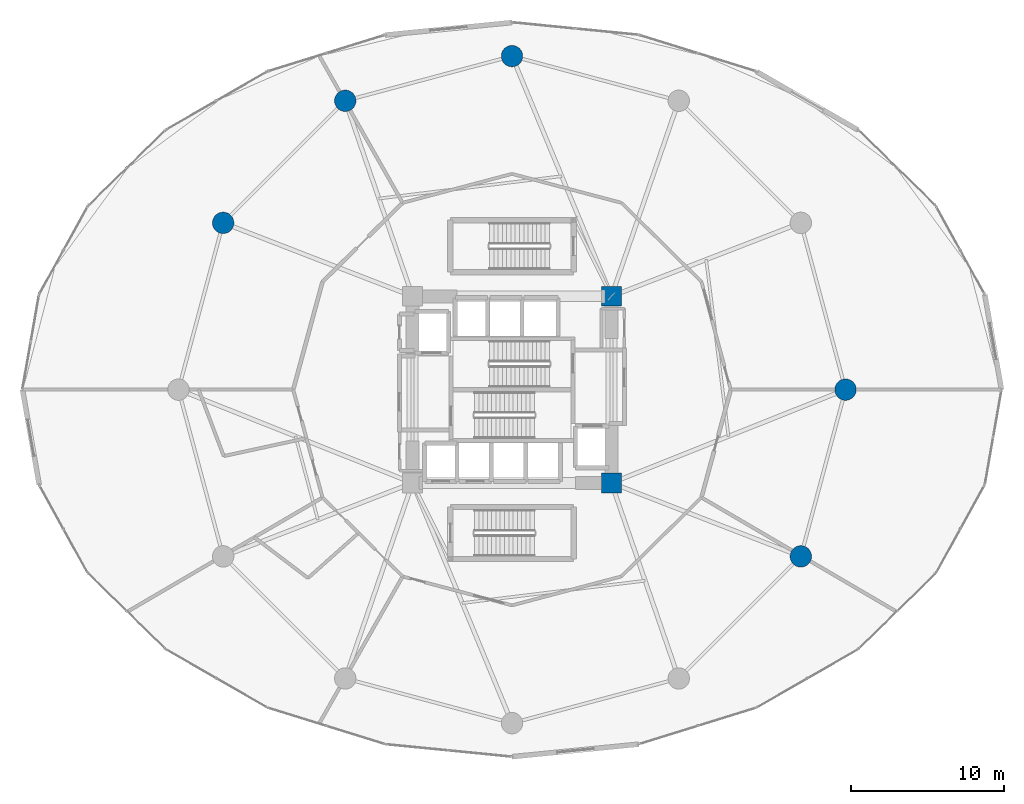
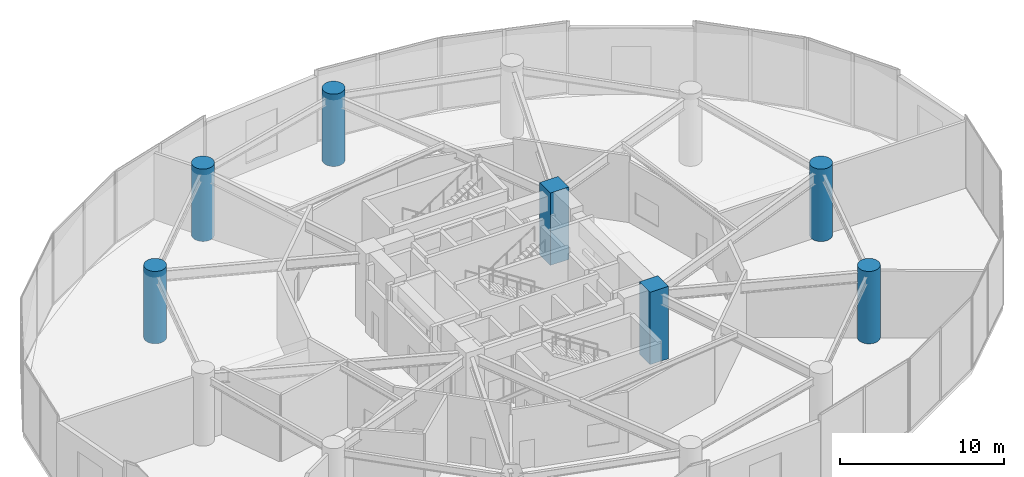
# One storey, part 2 of 29: 7 columns.
"""IFC4 building model written with IfcOpenShell, lengths in metres."""

from ifc_helpers import new_model, si_unit, direction, frame, origin, origin_2d, place, context, subcontext, project, spatial, rectangle, circle, extrude, material, material_profile, profile_set, type_object, element, save


model = new_model("IFC4")

# Units and contexts
model_context = context("Model", 3, precision=1e-05, world=origin(), true_north=direction((0.0, 1.0)))
body_context = subcontext(model_context, "Body", "Model", "MODEL_VIEW")
ifc_project = project(units=[si_unit("LENGTHUNIT", "METRE"), si_unit("AREAUNIT", "SQUARE_METRE"), si_unit("VOLUMEUNIT", "CUBIC_METRE"), si_unit("PLANEANGLEUNIT", "RADIAN"), si_unit("MASSUNIT", "GRAM", prefix="KILO")], contexts=[model_context])

# Site, building, storey
site_placement = place(None, origin())
site = spatial("IfcSite", under=ifc_project, at=site_placement, CompositionType="ELEMENT")
building_placement = place(site_placement, origin())
building = spatial("IfcBuilding", under=site, at=building_placement, Name="Solvirekh Grand Hotel", CompositionType="ELEMENT")
storey_placement = place(building_placement, frame((0.0, 0.0, 7.199951171875)))
storey = spatial("IfcBuildingStorey", under=building, at=storey_placement, Name="L01", CompositionType="ELEMENT", Elevation=7.199951171875)

# Columns
ifc_material = material(Name="Concrete C60/75", Category="concrete")
ifc_material_profile_1 = material_profile(ifc_material, circle(Radius=0.699951171875, at=origin_2d()), Name="RC CIRC D1400")
ifc_profile_set_1 = profile_set([ifc_material_profile_1], Name="Concrete C60/75")
column_type_1 = type_object("IfcColumnType", Name="Col_Base_D1400", PredefinedType="COLUMN", material=ifc_profile_set_1)
for number, where, z_axis, x_axis, name in (
    (1, (21.800048828125, 0.0, 0.0), (0.0, 0.0, 1.0), (1.0, 0.0, 0.0), "L01 perimeter column P01"),
    (2, (0.0, 21.800048828125, 0.0), (0.0, 0.0, 1.0), (1.0, 0.0, 0.0), "L01 perimeter column P04"),
    (3, (-10.89990234375, 18.87890625, 0.0), (0.0, 0.0, 1.0), (1.0, 0.0, 0.0), "L01 perimeter column P05"),
    (4, (-18.87890625, 10.89990234375, 0.0), (0.0, 0.0, 1.0), (1.0, 0.0, 0.0), "L01 perimeter column P06"),
    (5, (18.87890625, -10.89990234375, 0.0), (0.0, 0.0, 1.0), (1.0, 0.0, 0.0), "L01 perimeter column P12"),
):
    element("IfcColumn", number, at=place(storey_placement, frame(where, z_axis=z_axis, x_axis=x_axis)), inside=storey, type_object=column_type_1, Name=name, PredefinedType="COLUMN", context=body_context, shape_type="SweptSolid", body=[
        extrude(circle(Radius=0.699951171875, at=origin_2d()), origin(), (0.0, 0.0, 1.0), 5.400146484375),
    ])
ifc_material_profile_2 = material_profile(ifc_material, rectangle(XDim=1.300048828125, YDim=1.300048828125, at=origin_2d()), Name="RC 1300X1300")
ifc_profile_set_2 = profile_set([ifc_material_profile_2], Name="Concrete C60/75")
column_type_2 = type_object("IfcColumnType", Name="Col_Core_1300", PredefinedType="COLUMN", material=ifc_profile_set_2)
for number, where, z_axis, x_axis, name in (
    (6, (6.5, -6.10009765625, 0.0), (0.0, 0.0, 1.0), (1.0, 0.0, 0.0), "L01 core corner column CC2"),
    (7, (6.5, 6.10009765625, 0.0), (0.0, 0.0, 1.0), (1.0, 0.0, 0.0), "L01 core corner column CC3"),
):
    element("IfcColumn", number, at=place(storey_placement, frame(where, z_axis=z_axis, x_axis=x_axis)), inside=storey, type_object=column_type_2, Name=name, PredefinedType="COLUMN", context=body_context, shape_type="SweptSolid", body=[
        extrude(rectangle(XDim=1.300048828125, YDim=1.300048828125, at=origin_2d()), origin(), (0.0, 0.0, 1.0), 5.400146484375),
    ])

save(model, "model.ifc")
